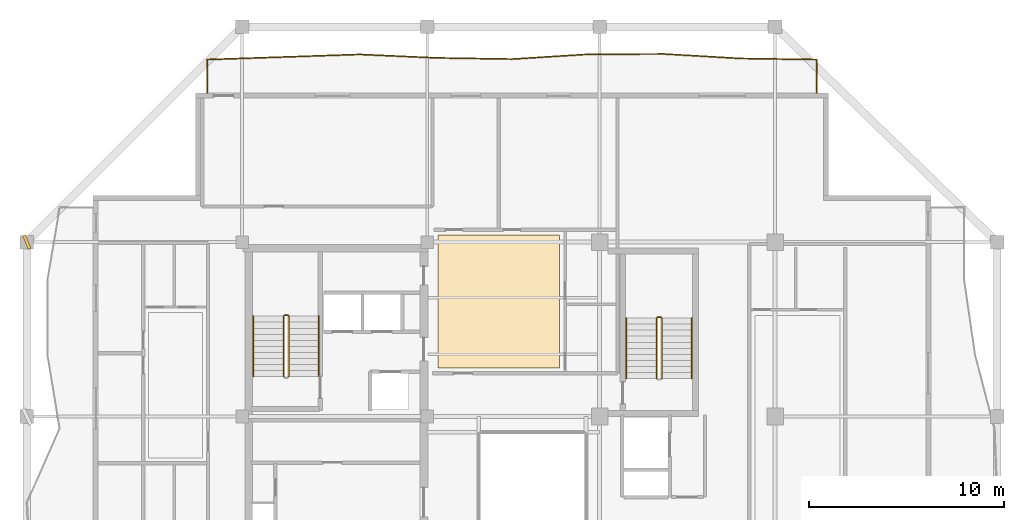
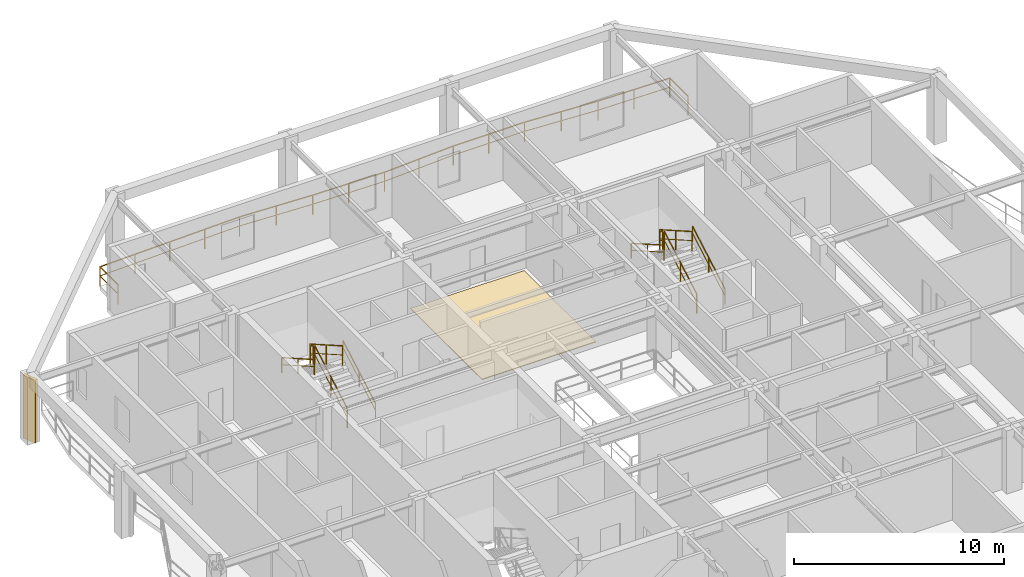
# One storey, part 10 of 11: 11 railings, 1 covering, 1 shading device.
"""IFC4 building model written with IfcOpenShell, lengths in metres."""

from ifc_helpers import new_model, si_unit, direction, frame, origin, origin_2d, place, context, subcontext, project, spatial, polyline, rectangle, outline, extrude, material, layer, layer_set, type_object, element, save


model = new_model("IFC4")

# Units and contexts
model_context = context("Model", 3, precision=1e-05, world=origin(), true_north=direction((0.0, 1.0)))
body_context = subcontext(model_context, "Body", "Model", "MODEL_VIEW")
ifc_project = project(units=[si_unit("LENGTHUNIT", "METRE"), si_unit("AREAUNIT", "SQUARE_METRE"), si_unit("VOLUMEUNIT", "CUBIC_METRE"), si_unit("PLANEANGLEUNIT", "RADIAN"), si_unit("MASSUNIT", "GRAM", prefix="KILO")], contexts=[model_context])

# Site, building, storey
site_placement = place(None, origin())
site = spatial("IfcSite", under=ifc_project, at=site_placement, CompositionType="ELEMENT")
building_placement = place(site_placement, origin())
building = spatial("IfcBuilding", under=site, at=building_placement, Name="Kundavana Baori Tower", CompositionType="ELEMENT")
storey_placement = place(building_placement, frame((0.0, 0.0, 257.0)))
storey = spatial("IfcBuildingStorey", under=building, at=storey_placement, Name="L63", CompositionType="ELEMENT", Elevation=257.0)

# Covering
ifc_material_1 = material(Name="Honed Kota Stone and Terrazzo Flooring", Category="masonry")
ifc_layer = layer(ifc_material_1, 0.0400390625, Name="COV-FLR-TERR-40")
ifc_layer_set = layer_set([ifc_layer], Name="Honed Kota Stone and Terrazzo Flooring")
covering_type = type_object("IfcCoveringType", Name="COV-FLR-TERR-40", PredefinedType="FLOORING", material=ifc_layer_set)
covering_placement = place(storey_placement, origin())
element("IfcCovering", 1, at=covering_placement, inside=storey, type_object=covering_type, Name="L63 Room Finished Stone Flooring 4", PredefinedType="FLOORING", context=body_context, shape_type="SweptSolid", body=[
    extrude(outline(polyline([(25.5, 35.5), (31.75, 35.5), (31.75, 42.31005859375), (25.5, 42.31005859375), (25.5, 35.5)])), origin(), (0.0, 0.0, 1.0), 0.0400390625),
])

# Railings
ifc_material_2 = material(Name="Architectural Patinated Bronze Metalwork")
railing_type_1 = type_object("IfcRailingType", Name="RL-BAL-1150", PredefinedType="BALUSTRADE", material=ifc_material_2)
railing_1_placement = place(storey_placement, frame((13.64990234375, 49.60009765625, 0.0)))
element("IfcRailing", 2, at=railing_1_placement, inside=storey, type_object=railing_type_1, Name="L63 Loggia Balcony Balustrade N", PredefinedType="BALUSTRADE", context=body_context, shape_type="SweptSolid", body=[
    extrude(rectangle(XDim=0.048095703125, YDim=0.048095703125, at=origin_2d()), frame((0.0, 0.0, 1.1259765625), z_axis=(0.0, 1.0, 0.0), x_axis=(-1.0, 0.0, 0.0)), (0.0, 0.0, 1.0), 1.719970703125),
    extrude(rectangle(XDim=0.03125, YDim=0.03125, at=origin_2d()), frame((0.0, 0.0, 0.597900390625), z_axis=(0.0, 1.0, 0.0), x_axis=(-1.0, 0.0, 0.0)), (0.0, 0.0, 1.0), 1.719970703125),
    extrude(rectangle(XDim=0.048095703125, YDim=0.048095703125, at=origin_2d()), frame((0.0, 1.719970703125, 1.1259765625), z_axis=(0.999424227759, 0.03392952945, 0.0), x_axis=(-0.03392952945, 0.999424227759, 0.0)), (0.0, 0.0, 1.0), 3.914306640625),
    extrude(rectangle(XDim=0.03125, YDim=0.03125, at=origin_2d()), frame((0.0, 1.719970703125, 0.597900390625), z_axis=(0.999424227759, 0.03392952945, 0.0), x_axis=(-0.03392952945, 0.999424227759, 0.0)), (0.0, 0.0, 1.0), 3.914306640625),
    extrude(rectangle(XDim=0.048095703125, YDim=0.048095703125, at=origin_2d()), frame((3.912109375, 1.852783203125, 1.1259765625), z_axis=(0.999413896813, 0.03423248249, 0.0), x_axis=(-0.03423248249, 0.999413896813, 0.0)), (0.0, 0.0, 1.0), 3.915283203125),
    extrude(rectangle(XDim=0.03125, YDim=0.03125, at=origin_2d()), frame((3.912109375, 1.852783203125, 0.597900390625), z_axis=(0.999413896813, 0.03423248249, 0.0), x_axis=(-0.03423248249, 0.999413896813, 0.0)), (0.0, 0.0, 1.0), 3.915283203125),
    extrude(rectangle(XDim=0.048095703125, YDim=0.048095703125, at=origin_2d()), frame((7.8251953125, 1.98681640625, 1.1259765625), z_axis=(0.99896712605, -0.04543876177, 0.0), x_axis=(0.04543876177, 0.99896712605, 0.0)), (0.0, 0.0, 1.0), 3.9169921875),
    extrude(rectangle(XDim=0.03125, YDim=0.03125, at=origin_2d()), frame((7.8251953125, 1.98681640625, 0.597900390625), z_axis=(0.99896712605, -0.04543876177, 0.0), x_axis=(0.04543876177, 0.99896712605, 0.0)), (0.0, 0.0, 1.0), 3.9169921875),
    extrude(rectangle(XDim=0.048095703125, YDim=0.048095703125, at=origin_2d()), frame((11.738037109375, 1.808837890625, 1.1259765625), z_axis=(0.999870406531, -0.016098762162, 0.0), x_axis=(0.016098762162, 0.999870406531, 0.0)), (0.0, 0.0, 1.0), 3.91259765625),
    extrude(rectangle(XDim=0.03125, YDim=0.03125, at=origin_2d()), frame((11.738037109375, 1.808837890625, 0.597900390625), z_axis=(0.999870406531, -0.016098762162, 0.0), x_axis=(0.016098762162, 0.999870406531, 0.0)), (0.0, 0.0, 1.0), 3.91259765625),
    extrude(rectangle(XDim=0.048095703125, YDim=0.048095703125, at=origin_2d()), frame((15.650146484375, 1.745849609375, 1.1259765625), z_axis=(0.997996698184, 0.063266028911, 0.0), x_axis=(-0.063266028911, 0.997996698184, 0.0)), (0.0, 0.0, 1.0), 3.920654296875),
    extrude(rectangle(XDim=0.03125, YDim=0.03125, at=origin_2d()), frame((15.650146484375, 1.745849609375, 0.597900390625), z_axis=(0.997996698184, 0.063266028911, 0.0), x_axis=(-0.063266028911, 0.997996698184, 0.0)), (0.0, 0.0, 1.0), 3.920654296875),
    extrude(rectangle(XDim=0.048095703125, YDim=0.048095703125, at=origin_2d()), frame((19.56298828125, 1.993896484375, 1.1259765625), z_axis=(0.999993673351, 0.003557141749, 0.0), x_axis=(-0.003557141749, 0.999993673351, 0.0)), (0.0, 0.0, 1.0), 3.912109375),
    extrude(rectangle(XDim=0.03125, YDim=0.03125, at=origin_2d()), frame((19.56298828125, 1.993896484375, 0.597900390625), z_axis=(0.999993673351, 0.003557141749, 0.0), x_axis=(-0.003557141749, 0.999993673351, 0.0)), (0.0, 0.0, 1.0), 3.912109375),
    extrude(rectangle(XDim=0.048095703125, YDim=0.048095703125, at=origin_2d()), frame((23.47509765625, 2.0078125, 1.1259765625), z_axis=(0.998277378648, -0.058670906581, 0.0), x_axis=(0.058670906581, 0.998277378648, 0.0)), (0.0, 0.0, 1.0), 3.919921875),
    extrude(rectangle(XDim=0.03125, YDim=0.03125, at=origin_2d()), frame((23.47509765625, 2.0078125, 0.597900390625), z_axis=(0.998277378648, -0.058670906581, 0.0), x_axis=(0.058670906581, 0.998277378648, 0.0)), (0.0, 0.0, 1.0), 3.919921875),
    extrude(rectangle(XDim=0.048095703125, YDim=0.048095703125, at=origin_2d()), frame((27.38818359375, 1.77783203125, 1.1259765625), z_axis=(0.999890627591, -0.014789619843, 0.0), x_axis=(0.014789619843, 0.999890627591, 0.0)), (0.0, 0.0, 1.0), 3.912353515625),
    extrude(rectangle(XDim=0.03125, YDim=0.03125, at=origin_2d()), frame((27.38818359375, 1.77783203125, 0.597900390625), z_axis=(0.999890627591, -0.014789619843, 0.0), x_axis=(0.014789619843, 0.999890627591, 0.0)), (0.0, 0.0, 1.0), 3.912353515625),
    extrude(rectangle(XDim=0.048095703125, YDim=0.048095703125, at=origin_2d()), frame((31.300048828125, 1.719970703125, 1.1259765625), z_axis=(0.0, -1.0, 0.0), x_axis=(1.0, 0.0, 0.0)), (0.0, 0.0, 1.0), 1.719970703125),
    extrude(rectangle(XDim=0.03125, YDim=0.03125, at=origin_2d()), frame((31.300048828125, 1.719970703125, 0.597900390625), z_axis=(0.0, -1.0, 0.0), x_axis=(1.0, 0.0, 0.0)), (0.0, 0.0, 1.0), 1.719970703125),
    extrude(rectangle(XDim=0.0419921875, YDim=0.0419921875, at=origin_2d()), origin(), (0.0, 0.0, 1.0), 1.101806640625),
    extrude(rectangle(XDim=0.0419921875, YDim=0.0419921875, at=origin_2d()), frame((0.0, 1.719970703125, 0.0)), (0.0, 0.0, 1.0), 1.101806640625),
    extrude(rectangle(XDim=0.0419921875, YDim=0.0419921875, at=origin_2d()), frame((1.9560546875, 1.786376953125, 0.0)), (0.0, 0.0, 1.0), 1.101806640625),
    extrude(rectangle(XDim=0.0419921875, YDim=0.0419921875, at=origin_2d()), frame((3.912109375, 1.852783203125, 0.0)), (0.0, 0.0, 1.0), 1.101806640625),
    extrude(rectangle(XDim=0.0419921875, YDim=0.0419921875, at=origin_2d()), frame((5.86865234375, 1.919921875, 0.0)), (0.0, 0.0, 1.0), 1.101806640625),
    extrude(rectangle(XDim=0.0419921875, YDim=0.0419921875, at=origin_2d()), frame((7.8251953125, 1.98681640625, 0.0)), (0.0, 0.0, 1.0), 1.101806640625),
    extrude(rectangle(XDim=0.0419921875, YDim=0.0419921875, at=origin_2d()), frame((9.78173828125, 1.89794921875, 0.0)), (0.0, 0.0, 1.0), 1.101806640625),
    extrude(rectangle(XDim=0.0419921875, YDim=0.0419921875, at=origin_2d()), frame((11.738037109375, 1.808837890625, 0.0)), (0.0, 0.0, 1.0), 1.101806640625),
    extrude(rectangle(XDim=0.0419921875, YDim=0.0419921875, at=origin_2d()), frame((13.694091796875, 1.77734375, 0.0)), (0.0, 0.0, 1.0), 1.101806640625),
    extrude(rectangle(XDim=0.0419921875, YDim=0.0419921875, at=origin_2d()), frame((15.650146484375, 1.745849609375, 0.0)), (0.0, 0.0, 1.0), 1.101806640625),
    extrude(rectangle(XDim=0.0419921875, YDim=0.0419921875, at=origin_2d()), frame((17.6064453125, 1.869873046875, 0.0)), (0.0, 0.0, 1.0), 1.101806640625),
    extrude(rectangle(XDim=0.0419921875, YDim=0.0419921875, at=origin_2d()), frame((19.56298828125, 1.993896484375, 0.0)), (0.0, 0.0, 1.0), 1.101806640625),
    extrude(rectangle(XDim=0.0419921875, YDim=0.0419921875, at=origin_2d()), frame((21.51904296875, 2.0009765625, 0.0)), (0.0, 0.0, 1.0), 1.101806640625),
    extrude(rectangle(XDim=0.0419921875, YDim=0.0419921875, at=origin_2d()), frame((23.47509765625, 2.0078125, 0.0)), (0.0, 0.0, 1.0), 1.101806640625),
    extrude(rectangle(XDim=0.0419921875, YDim=0.0419921875, at=origin_2d()), frame((25.431640625, 1.892822265625, 0.0)), (0.0, 0.0, 1.0), 1.101806640625),
    extrude(rectangle(XDim=0.0419921875, YDim=0.0419921875, at=origin_2d()), frame((27.38818359375, 1.77783203125, 0.0)), (0.0, 0.0, 1.0), 1.101806640625),
    extrude(rectangle(XDim=0.0419921875, YDim=0.0419921875, at=origin_2d()), frame((29.34423828125, 1.7490234375, 0.0)), (0.0, 0.0, 1.0), 1.101806640625),
    extrude(rectangle(XDim=0.0419921875, YDim=0.0419921875, at=origin_2d()), frame((31.300048828125, 1.719970703125, 0.0)), (0.0, 0.0, 1.0), 1.101806640625),
    extrude(rectangle(XDim=0.0419921875, YDim=0.0419921875, at=origin_2d()), frame((31.300048828125, 0.0, 0.0)), (0.0, 0.0, 1.0), 1.101806640625),
])
ifc_material_3 = material(Name="Architectural Patinated Bronze Metalwork")
railing_type_2 = type_object("IfcRailingType", Name="RL-GRD-1150", PredefinedType="GUARDRAIL", material=ifc_material_3)
railing_2_placement = place(storey_placement, frame((17.840087890625, 35.050048828125, 0.17724609375)))
element("IfcRailing", 3, at=railing_2_placement, inside=storey, type_object=railing_type_2, Name="L63 ST2 stair guard 1", PredefinedType="GUARDRAIL", context=body_context, shape_type="SweptSolid", body=[
    extrude(rectangle(XDim=0.048095703125, YDim=0.048095703125, at=origin_2d()), frame((0.0, 0.0, 1.1259765625), z_axis=(0.0, 0.868079009454, 0.496426060301), x_axis=(-1.0, 0.0, 0.0)), (0.0, 0.0, 1.0), 3.571044921875),
    extrude(rectangle(XDim=0.03125, YDim=0.03125, at=origin_2d()), frame((0.0, 0.0, 0.597900390625), z_axis=(0.0, 0.868079009454, 0.496426060301), x_axis=(-1.0, 0.0, 0.0)), (0.0, 0.0, 1.0), 3.571044921875),
    extrude(rectangle(XDim=0.0419921875, YDim=0.0419921875, at=origin_2d()), origin(), (0.0, 0.0, 1.0), 1.101806640625),
    extrude(rectangle(XDim=0.0419921875, YDim=0.0419921875, at=origin_2d()), frame((0.0, 1.5498046875, 0.88623046875)), (0.0, 0.0, 1.0), 1.101806640625),
    extrude(rectangle(XDim=0.0419921875, YDim=0.0419921875, at=origin_2d()), frame((0.0, 3.099853515625, 1.772705078125)), (0.0, 0.0, 1.0), 1.101806640625),
])
railing_3_placement = place(storey_placement, frame((17.7900390625, 38.199951171875, 1.949951171875)))
element("IfcRailing", 4, at=railing_3_placement, inside=storey, type_object=railing_type_2, Name="L63 ST2 stair guard 2", PredefinedType="GUARDRAIL", context=body_context, shape_type="SweptSolid", body=[
    extrude(rectangle(XDim=0.048095703125, YDim=0.048095703125, at=origin_2d()), frame((0.0, 0.0, 1.1259765625), z_axis=(-1.0, 0.0, 0.0), x_axis=(0.0, -1.0, 0.0)), (0.0, 0.0, 1.0), 0.16015625),
    extrude(rectangle(XDim=0.03125, YDim=0.03125, at=origin_2d()), frame((0.0, 0.0, 0.597900390625), z_axis=(-1.0, 0.0, 0.0), x_axis=(0.0, -1.0, 0.0)), (0.0, 0.0, 1.0), 0.16015625),
    extrude(rectangle(XDim=0.0419921875, YDim=0.0419921875, at=origin_2d()), origin(), (0.0, 0.0, 1.0), 1.101806640625),
    extrude(rectangle(XDim=0.0419921875, YDim=0.0419921875, at=origin_2d()), frame((-0.16015625, 0.0, 0.0)), (0.0, 0.0, 1.0), 1.101806640625),
])
railing_4_placement = place(storey_placement, frame((17.580078125, 38.14990234375, 2.127197265625)))
element("IfcRailing", 5, at=railing_4_placement, inside=storey, type_object=railing_type_2, Name="L63 ST2 stair guard 3", PredefinedType="GUARDRAIL", context=body_context, shape_type="SweptSolid", body=[
    extrude(rectangle(XDim=0.048095703125, YDim=0.048095703125, at=origin_2d()), frame((0.0, 0.0, 1.1259765625), z_axis=(0.0, -0.868079009454, 0.496426060301), x_axis=(1.0, 0.0, 0.0)), (0.0, 0.0, 1.0), 3.571044921875),
    extrude(rectangle(XDim=0.03125, YDim=0.03125, at=origin_2d()), frame((0.0, 0.0, 0.597900390625), z_axis=(0.0, -0.868079009454, 0.496426060301), x_axis=(1.0, 0.0, 0.0)), (0.0, 0.0, 1.0), 3.571044921875),
    extrude(rectangle(XDim=0.0419921875, YDim=0.0419921875, at=origin_2d()), origin(), (0.0, 0.0, 1.0), 1.101806640625),
    extrude(rectangle(XDim=0.0419921875, YDim=0.0419921875, at=origin_2d()), frame((0.0, -1.5498046875, 0.88623046875)), (0.0, 0.0, 1.0), 1.101806640625),
    extrude(rectangle(XDim=0.0419921875, YDim=0.0419921875, at=origin_2d()), frame((0.0, -3.099853515625, 1.772705078125)), (0.0, 0.0, 1.0), 1.101806640625),
])
railing_5_placement = place(storey_placement, frame((36.97998046875, 34.949951171875, 0.17724609375)))
element("IfcRailing", 6, at=railing_5_placement, inside=storey, type_object=railing_type_2, Name="L63 ST3 stair guard 1", PredefinedType="GUARDRAIL", context=body_context, shape_type="SweptSolid", body=[
    extrude(rectangle(XDim=0.048095703125, YDim=0.048095703125, at=origin_2d()), frame((0.0, 0.0, 1.1259765625), z_axis=(0.0, 0.868095856688, 0.496396599103), x_axis=(-1.0, 0.0, 0.0)), (0.0, 0.0, 1.0), 3.571044921875),
    extrude(rectangle(XDim=0.03125, YDim=0.03125, at=origin_2d()), frame((0.0, 0.0, 0.597900390625), z_axis=(0.0, 0.868095856688, 0.496396599103), x_axis=(-1.0, 0.0, 0.0)), (0.0, 0.0, 1.0), 3.571044921875),
    extrude(rectangle(XDim=0.0419921875, YDim=0.0419921875, at=origin_2d()), origin(), (0.0, 0.0, 1.0), 1.101806640625),
    extrude(rectangle(XDim=0.0419921875, YDim=0.0419921875, at=origin_2d()), frame((0.0, 1.550048828125, 0.88623046875)), (0.0, 0.0, 1.0), 1.101806640625),
    extrude(rectangle(XDim=0.0419921875, YDim=0.0419921875, at=origin_2d()), frame((0.0, 3.10009765625, 1.772705078125)), (0.0, 0.0, 1.0), 1.101806640625),
])
railing_6_placement = place(storey_placement, frame((36.929931640625, 38.10009765625, 1.949951171875)))
element("IfcRailing", 7, at=railing_6_placement, inside=storey, type_object=railing_type_2, Name="L63 ST3 stair guard 2", PredefinedType="GUARDRAIL", context=body_context, shape_type="SweptSolid", body=[
    extrude(rectangle(XDim=0.048095703125, YDim=0.048095703125, at=origin_2d()), frame((0.0, 0.0, 1.1259765625), z_axis=(-1.0, 0.0, 0.0), x_axis=(0.0, -1.0, 0.0)), (0.0, 0.0, 1.0), 0.159912109375),
    extrude(rectangle(XDim=0.03125, YDim=0.03125, at=origin_2d()), frame((0.0, 0.0, 0.597900390625), z_axis=(-1.0, 0.0, 0.0), x_axis=(0.0, -1.0, 0.0)), (0.0, 0.0, 1.0), 0.159912109375),
    extrude(rectangle(XDim=0.0419921875, YDim=0.0419921875, at=origin_2d()), origin(), (0.0, 0.0, 1.0), 1.101806640625),
    extrude(rectangle(XDim=0.0419921875, YDim=0.0419921875, at=origin_2d()), frame((-0.159912109375, 0.0, 0.0)), (0.0, 0.0, 1.0), 1.101806640625),
])
railing_7_placement = place(storey_placement, frame((36.719970703125, 38.050048828125, 2.127197265625)))
element("IfcRailing", 8, at=railing_7_placement, inside=storey, type_object=railing_type_2, Name="L63 ST3 stair guard 3", PredefinedType="GUARDRAIL", context=body_context, shape_type="SweptSolid", body=[
    extrude(rectangle(XDim=0.048095703125, YDim=0.048095703125, at=origin_2d()), frame((0.0, 0.0, 1.1259765625), z_axis=(0.0, -0.868095856688, 0.496396599103), x_axis=(1.0, 0.0, 0.0)), (0.0, 0.0, 1.0), 3.571044921875),
    extrude(rectangle(XDim=0.03125, YDim=0.03125, at=origin_2d()), frame((0.0, 0.0, 0.597900390625), z_axis=(0.0, -0.868095856688, 0.496396599103), x_axis=(1.0, 0.0, 0.0)), (0.0, 0.0, 1.0), 3.571044921875),
    extrude(rectangle(XDim=0.0419921875, YDim=0.0419921875, at=origin_2d()), origin(), (0.0, 0.0, 1.0), 1.101806640625),
    extrude(rectangle(XDim=0.0419921875, YDim=0.0419921875, at=origin_2d()), frame((0.0, -1.550048828125, 0.88623046875)), (0.0, 0.0, 1.0), 1.101806640625),
    extrude(rectangle(XDim=0.0419921875, YDim=0.0419921875, at=origin_2d()), frame((0.0, -3.10009765625, 1.772705078125)), (0.0, 0.0, 1.0), 1.101806640625),
])
ifc_material_4 = material(Name="Architectural Patinated Bronze Metalwork")
railing_type_3 = type_object("IfcRailingType", Name="RL-HND-920", PredefinedType="HANDRAIL", material=ifc_material_4)
railing_8_placement = place(storey_placement, frame((19.389892578125, 35.050048828125, 0.17724609375)))
element("IfcRailing", 9, at=railing_8_placement, inside=storey, type_object=railing_type_3, Name="L63 ST2 stair handrail 1", PredefinedType="HANDRAIL", context=body_context, shape_type="SweptSolid", body=[
    extrude(rectangle(XDim=0.048095703125, YDim=0.048095703125, at=origin_2d()), frame((0.0, 0.0, 0.8759765625), z_axis=(0.0, 0.868079009454, 0.496426060301), x_axis=(-1.0, 0.0, 0.0)), (0.0, 0.0, 1.0), 3.571044921875),
    extrude(rectangle(XDim=0.03125, YDim=0.03125, at=origin_2d()), frame((0.0, 0.0, 0.468017578125), z_axis=(0.0, 0.868079009454, 0.496426060301), x_axis=(-1.0, 0.0, 0.0)), (0.0, 0.0, 1.0), 3.571044921875),
    extrude(rectangle(XDim=0.0419921875, YDim=0.0419921875, at=origin_2d()), origin(), (0.0, 0.0, 1.0), 0.851806640625),
    extrude(rectangle(XDim=0.0419921875, YDim=0.0419921875, at=origin_2d()), frame((0.0, 1.5498046875, 0.88623046875)), (0.0, 0.0, 1.0), 0.851806640625),
    extrude(rectangle(XDim=0.0419921875, YDim=0.0419921875, at=origin_2d()), frame((0.0, 3.099853515625, 1.772705078125)), (0.0, 0.0, 1.0), 0.851806640625),
])
railing_9_placement = place(storey_placement, frame((16.030029296875, 38.14990234375, 2.127197265625)))
element("IfcRailing", 10, at=railing_9_placement, inside=storey, type_object=railing_type_3, Name="L63 ST2 stair handrail 2", PredefinedType="HANDRAIL", context=body_context, shape_type="SweptSolid", body=[
    extrude(rectangle(XDim=0.048095703125, YDim=0.048095703125, at=origin_2d()), frame((0.0, 0.0, 0.8759765625), z_axis=(0.0, -0.868079009454, 0.496426060301), x_axis=(1.0, 0.0, 0.0)), (0.0, 0.0, 1.0), 3.571044921875),
    extrude(rectangle(XDim=0.03125, YDim=0.03125, at=origin_2d()), frame((0.0, 0.0, 0.468017578125), z_axis=(0.0, -0.868079009454, 0.496426060301), x_axis=(1.0, 0.0, 0.0)), (0.0, 0.0, 1.0), 3.571044921875),
    extrude(rectangle(XDim=0.0419921875, YDim=0.0419921875, at=origin_2d()), origin(), (0.0, 0.0, 1.0), 0.851806640625),
    extrude(rectangle(XDim=0.0419921875, YDim=0.0419921875, at=origin_2d()), frame((0.0, -1.5498046875, 0.88623046875)), (0.0, 0.0, 1.0), 0.851806640625),
    extrude(rectangle(XDim=0.0419921875, YDim=0.0419921875, at=origin_2d()), frame((0.0, -3.099853515625, 1.772705078125)), (0.0, 0.0, 1.0), 0.851806640625),
])
railing_10_placement = place(storey_placement, frame((38.530029296875, 34.949951171875, 0.17724609375)))
element("IfcRailing", 11, at=railing_10_placement, inside=storey, type_object=railing_type_3, Name="L63 ST3 stair handrail 1", PredefinedType="HANDRAIL", context=body_context, shape_type="SweptSolid", body=[
    extrude(rectangle(XDim=0.048095703125, YDim=0.048095703125, at=origin_2d()), frame((0.0, 0.0, 0.8759765625), z_axis=(0.0, 0.868095856688, 0.496396599103), x_axis=(-1.0, 0.0, 0.0)), (0.0, 0.0, 1.0), 3.571044921875),
    extrude(rectangle(XDim=0.03125, YDim=0.03125, at=origin_2d()), frame((0.0, 0.0, 0.468017578125), z_axis=(0.0, 0.868095856688, 0.496396599103), x_axis=(-1.0, 0.0, 0.0)), (0.0, 0.0, 1.0), 3.571044921875),
    extrude(rectangle(XDim=0.0419921875, YDim=0.0419921875, at=origin_2d()), origin(), (0.0, 0.0, 1.0), 0.851806640625),
    extrude(rectangle(XDim=0.0419921875, YDim=0.0419921875, at=origin_2d()), frame((0.0, 1.550048828125, 0.88623046875)), (0.0, 0.0, 1.0), 0.851806640625),
    extrude(rectangle(XDim=0.0419921875, YDim=0.0419921875, at=origin_2d()), frame((0.0, 3.10009765625, 1.772705078125)), (0.0, 0.0, 1.0), 0.851806640625),
])
railing_11_placement = place(storey_placement, frame((35.169921875, 38.050048828125, 2.127197265625)))
element("IfcRailing", 12, at=railing_11_placement, inside=storey, type_object=railing_type_3, Name="L63 ST3 stair handrail 2", PredefinedType="HANDRAIL", context=body_context, shape_type="SweptSolid", body=[
    extrude(rectangle(XDim=0.048095703125, YDim=0.048095703125, at=origin_2d()), frame((0.0, 0.0, 0.8759765625), z_axis=(0.0, -0.868095856688, 0.496396599103), x_axis=(1.0, 0.0, 0.0)), (0.0, 0.0, 1.0), 3.571044921875),
    extrude(rectangle(XDim=0.03125, YDim=0.03125, at=origin_2d()), frame((0.0, 0.0, 0.468017578125), z_axis=(0.0, -0.868095856688, 0.496396599103), x_axis=(1.0, 0.0, 0.0)), (0.0, 0.0, 1.0), 3.571044921875),
    extrude(rectangle(XDim=0.0419921875, YDim=0.0419921875, at=origin_2d()), origin(), (0.0, 0.0, 1.0), 0.851806640625),
    extrude(rectangle(XDim=0.0419921875, YDim=0.0419921875, at=origin_2d()), frame((0.0, -1.550048828125, 0.88623046875)), (0.0, 0.0, 1.0), 0.851806640625),
    extrude(rectangle(XDim=0.0419921875, YDim=0.0419921875, at=origin_2d()), frame((0.0, -3.10009765625, 1.772705078125)), (0.0, 0.0, 1.0), 0.851806640625),
])

# Shading device
ifc_material_5 = material(Name="Red-Buff Dholpur Sandstone Cladding on Concrete C40/50", Category="masonry")
shading_device_type = type_object("IfcShadingDeviceType", Name="SHD-FIN-750", PredefinedType="JALOUSIE", material=ifc_material_5)
shading_device_placement = place(storey_placement, frame((4.39990234375, 41.949951171875, 0.0), z_axis=(0.0, 0.0, 1.0), x_axis=(0.925804625051, 0.378002375964, 0.0)))
element("IfcShadingDevice", 13, at=shading_device_placement, inside=storey, type_object=shading_device_type, Name="L63 Sweeping Dholpur Sandstone Facade Fin 8", PredefinedType="JALOUSIE", context=body_context, shape_type="SweptSolid", body=[
    extrude(rectangle(XDim=0.159912109375, YDim=0.75, at=origin_2d()), origin(), (0.0, 0.0, 1.0), 3.659912109375),
])

save(model, "model.ifc")
